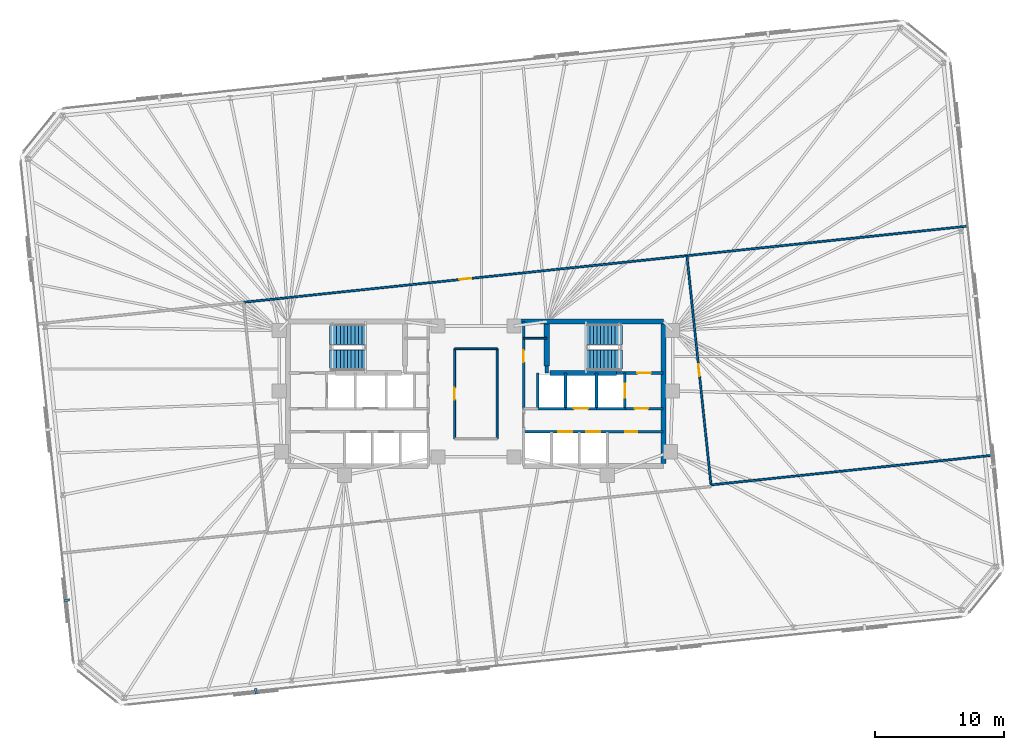
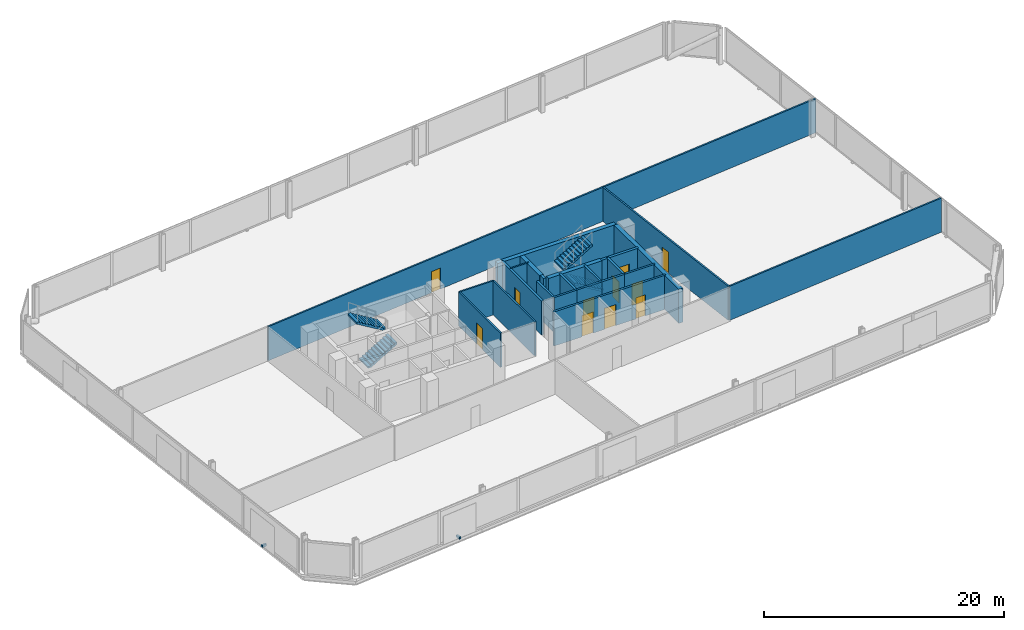
# One storey, part 15 of 17: 24 walls, 11 doors, 4 stair flights, 2 discrete accessories, 11 openings, 2 elements without a shape of their own.
"""IFC4 building model written with IfcOpenShell, lengths in metres."""

from ifc_helpers import new_model, si_unit, direction, frame, frame_2d, origin, origin_2d, place, context, subcontext, project, spatial, polyline, rectangle, outline, extrude, material, layer, layer_set, type_object, element, fill, aggregate, save


model = new_model("IFC4")

# Units and contexts
model_context = context("Model", 3, precision=1e-05, world=origin(), true_north=direction((0.0, 1.0)))
body_context = subcontext(model_context, "Body", "Model", "MODEL_VIEW")
ifc_project = project(units=[si_unit("LENGTHUNIT", "METRE"), si_unit("AREAUNIT", "SQUARE_METRE"), si_unit("VOLUMEUNIT", "CUBIC_METRE"), si_unit("PLANEANGLEUNIT", "RADIAN"), si_unit("MASSUNIT", "GRAM", prefix="KILO")], contexts=[model_context])

# Site, building, storey
site_placement = place(None, origin())
site = spatial("IfcSite", under=ifc_project, at=site_placement, CompositionType="ELEMENT")
building_placement = place(site_placement, origin())
building = spatial("IfcBuilding", under=site, at=building_placement, Name="Menara Jurai Vektor", CompositionType="ELEMENT")
storey_placement = place(building_placement, frame((0.0, 0.0, 109.60009765625)))
storey = spatial("IfcBuildingStorey", under=building, at=storey_placement, Name="L27", CompositionType="ELEMENT", Elevation=109.60009765625)

# Wall, opening, door
ifc_material_1 = material(Name="Concrete C40/50", Category="concrete")
ifc_layer_1 = layer(ifc_material_1, 0.25)
ifc_layer_set_1 = layer_set([ifc_layer_1], Name="Concrete C40/50")
wall_type_1 = type_object("IfcWallType", Name="INT-WALL-CORE-250", PredefinedType="STANDARD", material=ifc_layer_set_1)
wall_1_placement = place(storey_placement, frame((10.89990234375, 1.60009765625, 0.0), z_axis=(0.0, 0.0, 1.0), x_axis=(1.0, 0.0, 0.0)))
wall_1 = element("IfcWall", 1, at=wall_1_placement, inside=storey, type_object=wall_type_1, Name="Interior Wall IW-250 L27", PredefinedType="STANDARD", context=body_context, shape_type="SweptSolid", body=[
    extrude(rectangle(XDim=3.60009765625, YDim=0.25, at=frame_2d((1.800048828125, 0.0))), origin(), (0.0, 0.0, 1.0), 3.474853515625),
])
opening_1_placement = place(wall_1_placement, frame((1.6201171875, 0.0, 0.0)))
opening_1 = element("IfcOpeningElement", 2, at=opening_1_placement, cuts=wall_1, Name="Opening D-L27-ST2", PredefinedType="OPENING", context=body_context, shape_type="SweptSolid", body=[
    extrude(rectangle(XDim=1.050048828125, YDim=2.14990234375, at=frame_2d((0.52490234375, 1.074951171875))), frame((0.0, 0.135009765625, 0.0), z_axis=(0.0, -1.0, 0.0), x_axis=(1.0, 0.0, 0.0)), (0.0, 0.0, 1.0), 0.27001953125),
])
ifc_material_2 = material(Name="Fire-Rated Steel Door", Category="steel")
door_type_1 = type_object("IfcDoorType", Name="DR-STAIR-1050", OperationType="NOTDEFINED", PredefinedType="DOOR", material=ifc_material_2)
door_1_placement = place(opening_1_placement, origin())
door_1 = element("IfcDoor", 3, at=door_1_placement, inside=storey, type_object=door_type_1, Name="Exit Stair ST2 Door L27", OperationType="SINGLE_SWING_LEFT", OverallHeight=2.14990234375, OverallWidth=1.050048828125, PredefinedType="DOOR", context=body_context, shape_type="SweptSolid", body=[
    extrude(rectangle(XDim=1.050048828125, YDim=2.14990234375, at=frame_2d((0.52490234375, 1.074951171875))), frame((0.0, 0.02490234375, 0.0), z_axis=(0.0, -1.0, 0.0), x_axis=(1.0, 0.0, 0.0)), (0.0, 0.0, 1.0), 0.050048828125),
])
fill(opening_1, door_1)

# Wall
wall_2_placement = place(storey_placement, frame((5.5, 1.60009765625, 0.0), z_axis=(0.0, 0.0, 1.0), x_axis=(0.0, 1.0, 0.0)))
element("IfcWall", 4, at=wall_2_placement, inside=storey, type_object=wall_type_1, Name="Interior Wall IW-250 L27", PredefinedType="STANDARD", context=body_context, shape_type="SweptSolid", body=[
    extrude(rectangle(XDim=0.5498046875, YDim=0.25, at=frame_2d((0.27490234375, 0.0))), origin(), (0.0, 0.0, 1.0), 3.474853515625),
])

# Wall, opening, door
wall_3_placement = place(storey_placement, frame((11.550048828125, -1.14990234375, 0.0), z_axis=(0.0, 0.0, 1.0), x_axis=(0.0, 1.0, 0.0)))
wall_3 = element("IfcWall", 5, at=wall_3_placement, inside=storey, type_object=wall_type_1, Name="Interior Wall IW-250 L27", PredefinedType="STANDARD", context=body_context, shape_type="SweptSolid", body=[
    extrude(rectangle(XDim=2.75, YDim=0.199951171875, at=frame_2d((1.375, 0.0))), origin(), (0.0, 0.0, 1.0), 3.474853515625),
])
opening_2_placement = place(wall_3_placement, frame((0.824951171875, 0.0, 0.0)))
opening_2 = element("IfcOpeningElement", 6, at=opening_2_placement, cuts=wall_3, Name="Opening LD-L27-FL2", PredefinedType="OPENING", context=body_context, shape_type="SweptSolid", body=[
    extrude(rectangle(XDim=1.10009765625, YDim=2.14990234375, at=frame_2d((0.550048828125, 1.074951171875))), frame((0.0, 0.10986328125, 0.0), z_axis=(0.0, -1.0, 0.0), x_axis=(1.0, 0.0, 0.0)), (0.0, 0.0, 1.0), 0.219970703125),
])
ifc_material_3 = material(Name="Stainless Steel Sliding Lift Landing Door", Category="steel")
door_type_2 = type_object("IfcDoorType", Name="DR-LIFT-FIRE-1100", OperationType="NOTDEFINED", PredefinedType="DOOR", material=ifc_material_3)
door_2_placement = place(opening_2_placement, origin())
door_2 = element("IfcDoor", 7, at=door_2_placement, inside=storey, type_object=door_type_2, Name="Lift Landing Door FL2 L27", OperationType="SLIDING_TO_RIGHT", OverallHeight=2.14990234375, OverallWidth=1.10009765625, PredefinedType="DOOR", context=body_context, shape_type="SweptSolid", body=[
    extrude(rectangle(XDim=1.10009765625, YDim=2.14990234375, at=frame_2d((0.550048828125, 1.074951171875))), frame((0.0, 0.02490234375, 0.0), z_axis=(0.0, -1.0, 0.0), x_axis=(1.0, 0.0, 0.0)), (0.0, 0.0, 1.0), 0.050048828125),
])
fill(opening_2, door_2)

# Wall
wall_4_placement = place(storey_placement, frame((9.35009765625, -1.14990234375, 0.0), z_axis=(0.0, 0.0, 1.0), x_axis=(0.0, 1.0, 0.0)))
element("IfcWall", 8, at=wall_4_placement, inside=storey, type_object=wall_type_1, Name="Interior Wall IW-250 L27", PredefinedType="STANDARD", context=body_context, shape_type="SweptSolid", body=[
    extrude(rectangle(XDim=2.75, YDim=0.199951171875, at=frame_2d((1.375, 0.0))), origin(), (0.0, 0.0, 1.0), 3.474853515625),
])

# Wall, opening, door
wall_5_placement = place(storey_placement, frame((11.550048828125, -1.14990234375, 0.0), z_axis=(0.0, 0.0, 1.0), x_axis=(1.0, 0.0, 0.0)))
wall_5 = element("IfcWall", 9, at=wall_5_placement, inside=storey, type_object=wall_type_1, Name="Interior Wall IW-250 L27", PredefinedType="STANDARD", context=body_context, shape_type="SweptSolid", body=[
    extrude(rectangle(XDim=2.949951171875, YDim=0.199951171875, at=frame_2d((1.47509765625, 0.0))), origin(), (0.0, 0.0, 1.0), 3.474853515625),
])
opening_3_placement = place(wall_5_placement, frame((0.75, 0.0, 0.0)))
opening_3 = element("IfcOpeningElement", 10, at=opening_3_placement, cuts=wall_5, Name="Opening D-L27-FFE", PredefinedType="OPENING", context=body_context, shape_type="SweptSolid", body=[
    extrude(rectangle(XDim=1.050048828125, YDim=2.179931640625, at=frame_2d((0.52490234375, 1.08984375))), frame((0.0, 0.10986328125, 0.0), z_axis=(0.0, -1.0, 0.0), x_axis=(1.0, 0.0, 0.0)), (0.0, 0.0, 1.0), 0.219970703125),
])
ifc_material_4 = material(Name="Fire-Rated Timber Door", Category="wood")
door_type_3 = type_object("IfcDoorType", Name="DR-LOBBY-1050", OperationType="NOTDEFINED", PredefinedType="DOOR", material=ifc_material_4)
door_3_placement = place(opening_3_placement, origin())
door_3 = element("IfcDoor", 11, at=door_3_placement, inside=storey, type_object=door_type_3, Name="Fire Lift Lobby Door E L27", OperationType="SINGLE_SWING_LEFT", OverallHeight=2.179931640625, OverallWidth=1.050048828125, PredefinedType="DOOR", context=body_context, shape_type="SweptSolid", body=[
    extrude(rectangle(XDim=1.050048828125, YDim=2.179931640625, at=frame_2d((0.52490234375, 1.08984375))), frame((0.0, 0.02490234375, 0.0), z_axis=(0.0, -1.0, 0.0), x_axis=(1.0, 0.0, 0.0)), (0.0, 0.0, 1.0), 0.050048828125),
])
fill(opening_3, door_3)

# Walls
wall_6_placement = place(storey_placement, frame((9.35009765625, -1.14990234375, 0.0), z_axis=(0.0, 0.0, 1.0), x_axis=(1.0, 0.0, 0.0)))
element("IfcWall", 12, at=wall_6_placement, inside=storey, type_object=wall_type_1, Name="Interior Wall IW-250 L27", PredefinedType="STANDARD", context=body_context, shape_type="SweptSolid", body=[
    extrude(rectangle(XDim=2.199951171875, YDim=0.199951171875, at=frame_2d((1.10009765625, 0.0))), origin(), (0.0, 0.0, 1.0), 3.474853515625),
])
ifc_material_5 = material(Name="Gypsum Fireboard Partition", Category="gypsum")
ifc_layer_2 = layer(ifc_material_5, 0.14990234375)
ifc_layer_set_2 = layer_set([ifc_layer_2], Name="Gypsum Fireboard Partition")
wall_type_2 = type_object("IfcWallType", Name="INT-WALL-CORR-150", PredefinedType="PARTITIONING", material=ifc_layer_set_2)
wall_7_placement = place(storey_placement, frame((3.699951171875, 4.300048828125, 0.0), z_axis=(0.0, 0.0, 1.0), x_axis=(1.0, 0.0, 0.0)))
element("IfcWall", 13, at=wall_7_placement, inside=storey, type_object=wall_type_2, Name="Interior Wall IW-150 L27", PredefinedType="PARTITIONING", context=body_context, shape_type="SweptSolid", body=[
    extrude(rectangle(XDim=1.800048828125, YDim=0.14990234375, at=frame_2d((0.89990234375, 0.0))), origin(), (0.0, 0.0, 1.0), 3.474853515625),
])

# Wall, opening, door
wall_8_placement = place(storey_placement, frame((-1.649658203125, -3.490478515625, 0.0), z_axis=(0.0, 0.0, 1.0), x_axis=(-0.000104928124, 0.999999994495, 0.0)))
wall_8 = element("IfcWall", 14, at=wall_8_placement, inside=storey, type_object=wall_type_2, Name="Interior Wall IW-150 L27", PredefinedType="PARTITIONING", context=body_context, shape_type="SweptSolid", body=[
    extrude(rectangle(XDim=6.980224609375, YDim=0.14990234375, at=frame_2d((3.490234375, 0.0))), origin(), (0.0, 0.0, 1.0), 3.474853515625),
])
opening_4_placement = place(wall_8_placement, frame((3.01513671875, 0.0, 0.0)))
opening_4 = element("IfcOpeningElement", 15, at=opening_4_placement, cuts=wall_8, Name="Opening D27-06", PredefinedType="OPENING", context=body_context, shape_type="SweptSolid", body=[
    extrude(rectangle(XDim=0.949951171875, YDim=2.14990234375, at=frame_2d((0.47509765625, 1.074951171875))), frame((0.0, 0.0849609375, 0.0), z_axis=(0.0, -1.0, 0.0), x_axis=(1.0, 0.0, 0.0)), (0.0, 0.0, 1.0), 0.169921875),
])
ifc_material_6 = material(Name="Solid Core Timber Fire Door", Category="wood")
door_type_4 = type_object("IfcDoorType", Name="DR-ENTRY-950", OperationType="NOTDEFINED", PredefinedType="DOOR", material=ifc_material_6)
door_4_placement = place(opening_4_placement, origin())
door_4 = element("IfcDoor", 16, at=door_4_placement, inside=storey, type_object=door_type_4, Name="Interior Door D27-06", OperationType="SINGLE_SWING_LEFT", OverallHeight=2.14990234375, OverallWidth=0.949951171875, PredefinedType="DOOR", context=body_context, shape_type="SweptSolid", body=[
    extrude(rectangle(XDim=0.949951171875, YDim=2.14990234375, at=frame_2d((0.47509765625, 1.074951171875))), frame((0.0, 0.02490234375, 0.0), z_axis=(0.0, -1.0, 0.0), x_axis=(1.0, 0.0, 0.0)), (0.0, 0.0, 1.0), 0.050048828125),
])
fill(opening_4, door_4)

# Walls
wall_9_placement = place(storey_placement, frame((-1.650390625, 3.48974609375, 0.0), z_axis=(0.0, 0.0, 1.0), x_axis=(1.0, 0.0, 0.0)))
element("IfcWall", 17, at=wall_9_placement, inside=storey, type_object=wall_type_2, Name="Interior Wall IW-150 L27", PredefinedType="PARTITIONING", context=body_context, shape_type="SweptSolid", body=[
    extrude(rectangle(XDim=3.30029296875, YDim=0.14990234375, at=frame_2d((1.650146484375, 0.0))), origin(), (0.0, 0.0, 1.0), 3.474853515625),
])
wall_10_placement = place(storey_placement, frame((1.650390625, -3.490478515625, 0.0), z_axis=(0.0, 0.0, 1.0), x_axis=(-6.9952083e-05, 0.999999997553, 0.0)))
element("IfcWall", 18, at=wall_10_placement, inside=storey, type_object=wall_type_2, Name="Interior Wall IW-150 L27", PredefinedType="PARTITIONING", context=body_context, shape_type="SweptSolid", body=[
    extrude(rectangle(XDim=6.980224609375, YDim=0.14990234375, at=frame_2d((3.490234375, 0.0))), origin(), (0.0, 0.0, 1.0), 3.474853515625),
])

# Wall, opening, door
wall_11_placement = place(storey_placement, frame((-18.021240234375, 7.09033203125, 0.0), z_axis=(0.0, 0.0, 1.0), x_axis=(0.994522464549, 0.104523047737, 0.0)))
wall_11 = element("IfcWall", 19, at=wall_11_placement, inside=storey, type_object=wall_type_2, Name="Interior Wall IW-150 L27", PredefinedType="PARTITIONING", context=body_context, shape_type="SweptSolid", body=[
    extrude(rectangle(XDim=34.573974609375, YDim=0.14990234375, at=frame_2d((17.287109375, 0.0))), origin(), (0.0, 0.0, 1.0), 3.474853515625),
])
opening_5_placement = place(wall_11_placement, frame((16.81201171875, 0.0, 0.0)))
opening_5 = element("IfcOpeningElement", 20, at=opening_5_placement, cuts=wall_11, Name="Opening D27-07", PredefinedType="OPENING", context=body_context, shape_type="SweptSolid", body=[
    extrude(rectangle(XDim=0.949951171875, YDim=2.14990234375, at=frame_2d((0.47509765625, 1.074951171875))), frame((0.0, 0.0849609375, 0.0), z_axis=(0.0, -1.0, 0.0), x_axis=(1.0, 0.0, 0.0)), (0.0, 0.0, 1.0), 0.169921875),
])
door_5_placement = place(opening_5_placement, origin())
door_5 = element("IfcDoor", 21, at=door_5_placement, inside=storey, type_object=door_type_4, Name="Interior Door D27-07", OperationType="SINGLE_SWING_RIGHT", OverallHeight=2.14990234375, OverallWidth=0.949951171875, PredefinedType="DOOR", context=body_context, shape_type="SweptSolid", body=[
    extrude(rectangle(XDim=0.949951171875, YDim=2.14990234375, at=frame_2d((0.47509765625, 1.074951171875))), frame((0.0, 0.02490234375, 0.0), z_axis=(0.0, -1.0, 0.0), x_axis=(1.0, 0.0, 0.0)), (0.0, 0.0, 1.0), 0.050048828125),
])
fill(opening_5, door_5)

wall_12_placement = place(storey_placement, frame((18.231201171875, -7.06787109375, 0.0), z_axis=(0.0, 0.0, 1.0), x_axis=(-0.104529034836, 0.994521835294, 0.0)))
wall_12 = element("IfcWall", 22, at=wall_12_placement, inside=storey, type_object=wall_type_2, Name="Interior Wall IW-150 L27", PredefinedType="PARTITIONING", context=body_context, shape_type="SweptSolid", body=[
    extrude(rectangle(XDim=17.869873046875, YDim=0.14990234375, at=frame_2d((8.93505859375, 0.0))), origin(), (0.0, 0.0, 1.0), 3.474853515625),
])
opening_6_placement = place(wall_12_placement, frame((8.4599609375, 0.0, 0.0)))
opening_6 = element("IfcOpeningElement", 23, at=opening_6_placement, cuts=wall_12, Name="Opening D27-11", PredefinedType="OPENING", context=body_context, shape_type="SweptSolid", body=[
    extrude(rectangle(XDim=0.949951171875, YDim=2.14990234375, at=frame_2d((0.47509765625, 1.074951171875))), frame((0.0, 0.0849609375, 0.0), z_axis=(0.0, -1.0, 0.0), x_axis=(1.0, 0.0, 0.0)), (0.0, 0.0, 1.0), 0.169921875),
])
door_6_placement = place(opening_6_placement, origin())
door_6 = element("IfcDoor", 24, at=door_6_placement, inside=storey, type_object=door_type_4, Name="Interior Door D27-11", OperationType="SINGLE_SWING_RIGHT", OverallHeight=2.14990234375, OverallWidth=0.949951171875, PredefinedType="DOOR", context=body_context, shape_type="SweptSolid", body=[
    extrude(rectangle(XDim=0.949951171875, YDim=2.14990234375, at=frame_2d((0.47509765625, 1.074951171875))), frame((0.0, 0.02490234375, 0.0), z_axis=(0.0, -1.0, 0.0), x_axis=(1.0, 0.0, 0.0)), (0.0, 0.0, 1.0), 0.050048828125),
])
fill(opening_6, door_6)

# Walls
wall_13_placement = place(storey_placement, frame((16.36328125, 10.7041015625, 0.0), z_axis=(0.0, 0.0, 1.0), x_axis=(0.994521206634, 0.104535015934, 0.0)))
element("IfcWall", 25, at=wall_13_placement, inside=storey, type_object=wall_type_2, Name="Interior Wall IW-150 L27", PredefinedType="PARTITIONING", context=body_context, shape_type="SweptSolid", body=[
    extrude(rectangle(XDim=21.892822265625, YDim=0.14990234375, at=frame_2d((10.9462890625, 0.0))), origin(), (0.0, 0.0, 1.0), 3.474853515625),
])
wall_14_placement = place(storey_placement, frame((18.231201171875, -7.06787109375, 0.0), z_axis=(0.0, 0.0, 1.0), x_axis=(0.994521328491, 0.104533856601, 0.0)))
element("IfcWall", 26, at=wall_14_placement, inside=storey, type_object=wall_type_2, Name="Interior Wall IW-150 L27", PredefinedType="PARTITIONING", context=body_context, shape_type="SweptSolid", body=[
    extrude(rectangle(XDim=21.89306640625, YDim=0.14990234375, at=frame_2d((10.946533203125, 0.0))), origin(), (0.0, 0.0, 1.0), 3.474853515625),
])

# Wall, opening, door
ifc_layer_3 = layer(ifc_material_1, 0.199951171875)
ifc_layer_set_3 = layer_set([ifc_layer_3], Name="Concrete C40/50")
wall_type_3 = type_object("IfcWallType", Name="INT-WALL-SHAFT-200", PredefinedType="STANDARD", material=ifc_layer_set_3)
wall_15_placement = place(storey_placement, frame((3.699951171875, -1.14990234375, 0.0), z_axis=(0.0, 0.0, 1.0), x_axis=(0.0, 1.0, 0.0)))
wall_15 = element("IfcWall", 27, at=wall_15_placement, inside=storey, type_object=wall_type_3, Name="Interior Wall IW-200 L27", PredefinedType="STANDARD", context=body_context, shape_type="SweptSolid", body=[
    extrude(rectangle(XDim=6.75, YDim=0.199951171875, at=frame_2d((3.375, 0.0))), origin(), (0.0, 0.0, 1.0), 3.474853515625),
])
opening_7_placement = place(wall_15_placement, frame((3.60009765625, 0.0, 0.0)))
opening_7 = element("IfcOpeningElement", 28, at=opening_7_placement, cuts=wall_15, Name="Opening D27-05", PredefinedType="OPENING", context=body_context, shape_type="SweptSolid", body=[
    extrude(rectangle(XDim=0.919921875, YDim=2.14990234375, at=frame_2d((0.4599609375, 1.074951171875))), frame((0.0, 0.10986328125, 0.0), z_axis=(0.0, -1.0, 0.0), x_axis=(1.0, 0.0, 0.0)), (0.0, 0.0, 1.0), 0.219970703125),
])
door_7_placement = place(opening_7_placement, origin())
door_7 = element("IfcDoor", 29, at=door_7_placement, inside=storey, type_object=door_type_4, Name="Interior Door D27-05", OperationType="SINGLE_SWING_RIGHT", OverallHeight=2.14990234375, OverallWidth=0.919921875, PredefinedType="DOOR", context=body_context, shape_type="SweptSolid", body=[
    extrude(rectangle(XDim=0.919921875, YDim=2.14990234375, at=frame_2d((0.4599609375, 1.074951171875))), frame((0.0, 0.02490234375, 0.0), z_axis=(0.0, -1.0, 0.0), x_axis=(1.0, 0.0, 0.0)), (0.0, 0.0, 1.0), 0.050048828125),
])
fill(opening_7, door_7)

# Wall
wall_16_placement = place(storey_placement, frame((6.949951171875, -1.14990234375, 0.0), z_axis=(0.0, 0.0, 1.0), x_axis=(0.0, 1.0, 0.0)))
element("IfcWall", 30, at=wall_16_placement, inside=storey, type_object=wall_type_3, Name="Interior Wall IW-200 L27", PredefinedType="STANDARD", context=body_context, shape_type="SweptSolid", body=[
    extrude(rectangle(XDim=2.75, YDim=0.199951171875, at=frame_2d((1.375, 0.0))), origin(), (0.0, 0.0, 1.0), 3.474853515625),
])

# Wall, opening, door
wall_17_placement = place(storey_placement, frame((6.949951171875, -1.14990234375, 0.0), z_axis=(0.0, 0.0, 1.0), x_axis=(1.0, 0.0, 0.0)))
wall_17 = element("IfcWall", 31, at=wall_17_placement, inside=storey, type_object=wall_type_3, Name="Interior Wall IW-200 L27", PredefinedType="STANDARD", context=body_context, shape_type="SweptSolid", body=[
    extrude(rectangle(XDim=2.400146484375, YDim=0.199951171875, at=frame_2d((1.2001953125, 0.0))), origin(), (0.0, 0.0, 1.0), 3.474853515625),
])
opening_8_placement = place(wall_17_placement, frame((0.64990234375, 0.0, 0.0)))
opening_8 = element("IfcOpeningElement", 32, at=opening_8_placement, cuts=wall_17, Name="Opening LD-L27-SVL2", PredefinedType="OPENING", context=body_context, shape_type="SweptSolid", body=[
    extrude(rectangle(XDim=1.10009765625, YDim=2.14990234375, at=frame_2d((0.550048828125, 1.074951171875))), frame((0.0, 0.10986328125, 0.0), z_axis=(0.0, -1.0, 0.0), x_axis=(1.0, 0.0, 0.0)), (0.0, 0.0, 1.0), 0.219970703125),
])
ifc_material_7 = material(Name="Anodised Stainless Sliding Lift Landing Door", Category="steel")
door_type_5 = type_object("IfcDoorType", Name="DR-LIFT-PASS-1100", OperationType="NOTDEFINED", PredefinedType="DOOR", material=ifc_material_7)
door_8_placement = place(opening_8_placement, origin())
door_8 = element("IfcDoor", 33, at=door_8_placement, inside=storey, type_object=door_type_5, Name="Lift Landing Door SVL2 L27", OperationType="SLIDING_TO_RIGHT", OverallHeight=2.14990234375, OverallWidth=1.10009765625, PredefinedType="DOOR", context=body_context, shape_type="SweptSolid", body=[
    extrude(rectangle(XDim=1.10009765625, YDim=2.14990234375, at=frame_2d((0.550048828125, 1.074951171875))), frame((0.0, 0.02490234375, 0.0), z_axis=(0.0, -1.0, 0.0), x_axis=(1.0, 0.0, 0.0)), (0.0, 0.0, 1.0), 0.050048828125),
])
fill(opening_8, door_8)

# Walls
wall_18_placement = place(storey_placement, frame((4.7900390625, -1.14990234375, 0.0), z_axis=(0.0, 0.0, 1.0), x_axis=(0.0, 1.0, 0.0)))
element("IfcWall", 34, at=wall_18_placement, inside=storey, type_object=wall_type_3, Name="Interior Wall IW-200 L27", PredefinedType="STANDARD", context=body_context, shape_type="SweptSolid", body=[
    extrude(rectangle(XDim=2.75, YDim=0.199951171875, at=frame_2d((1.375, 0.0))), origin(), (0.0, 0.0, 1.0), 3.474853515625),
])
wall_19_placement = place(storey_placement, frame((4.7900390625, -1.14990234375, 0.0), z_axis=(0.0, 0.0, 1.0), x_axis=(1.0, 0.0, 0.0)))
element("IfcWall", 35, at=wall_19_placement, inside=storey, type_object=wall_type_3, Name="Interior Wall IW-200 L27", PredefinedType="STANDARD", context=body_context, shape_type="SweptSolid", body=[
    extrude(rectangle(XDim=2.159912109375, YDim=0.199951171875, at=frame_2d((1.080078125, 0.0))), origin(), (0.0, 0.0, 1.0), 3.474853515625),
])

# Wall, openings, doors
wall_20_placement = place(storey_placement, frame((3.699951171875, -2.949951171875, 0.0), z_axis=(0.0, 0.0, 1.0), x_axis=(1.0, 0.0, 0.0)))
wall_20 = element("IfcWall", 36, at=wall_20_placement, inside=storey, type_object=wall_type_3, Name="Interior Wall IW-200 L27", PredefinedType="STANDARD", context=body_context, shape_type="SweptSolid", body=[
    extrude(rectangle(XDim=10.800048828125, YDim=0.199951171875, at=frame_2d((5.39990234375, 0.0))), origin(), (0.0, 0.0, 1.0), 3.474853515625),
])
opening_9_placement = place(wall_20_placement, frame((2.68994140625, 0.0, 0.0)))
opening_9 = element("IfcOpeningElement", 37, at=opening_9_placement, cuts=wall_20, Name="Opening LD-L27-PM3", PredefinedType="OPENING", context=body_context, shape_type="SweptSolid", body=[
    extrude(rectangle(XDim=1.10009765625, YDim=2.14990234375, at=frame_2d((0.550048828125, 1.074951171875))), frame((0.0, 0.10986328125, 0.0), z_axis=(0.0, -1.0, 0.0), x_axis=(1.0, 0.0, 0.0)), (0.0, 0.0, 1.0), 0.219970703125),
])
opening_10_placement = place(wall_20_placement, frame((4.85009765625, 0.0, 0.0)))
opening_10 = element("IfcOpeningElement", 38, at=opening_10_placement, cuts=wall_20, Name="Opening LD-L27-PM4", PredefinedType="OPENING", context=body_context, shape_type="SweptSolid", body=[
    extrude(rectangle(XDim=1.10009765625, YDim=2.14990234375, at=frame_2d((0.550048828125, 1.074951171875))), frame((0.0, 0.10986328125, 0.0), z_axis=(0.0, -1.0, 0.0), x_axis=(1.0, 0.0, 0.0)), (0.0, 0.0, 1.0), 0.219970703125),
])
opening_11_placement = place(wall_20_placement, frame((7.8798828125, 0.0, 0.0)))
opening_11 = element("IfcOpeningElement", 39, at=opening_11_placement, cuts=wall_20, Name="Opening D27-04", PredefinedType="OPENING", context=body_context, shape_type="SweptSolid", body=[
    extrude(rectangle(XDim=0.949951171875, YDim=2.14990234375, at=frame_2d((0.47509765625, 1.074951171875))), frame((0.0, 0.10986328125, 0.0), z_axis=(0.0, -1.0, 0.0), x_axis=(1.0, 0.0, 0.0)), (0.0, 0.0, 1.0), 0.219970703125),
])
door_9_placement = place(opening_11_placement, origin())
door_9 = element("IfcDoor", 40, at=door_9_placement, inside=storey, type_object=door_type_4, Name="Interior Door D27-04", OperationType="SINGLE_SWING_LEFT", OverallHeight=2.14990234375, OverallWidth=0.949951171875, PredefinedType="DOOR", context=body_context, shape_type="SweptSolid", body=[
    extrude(rectangle(XDim=0.949951171875, YDim=2.14990234375, at=frame_2d((0.47509765625, 1.074951171875))), frame((0.0, 0.02490234375, 0.0), z_axis=(0.0, -1.0, 0.0), x_axis=(1.0, 0.0, 0.0)), (0.0, 0.0, 1.0), 0.050048828125),
])
fill(opening_11, door_9)
door_10_placement = place(opening_9_placement, origin())
door_10 = element("IfcDoor", 41, at=door_10_placement, inside=storey, type_object=door_type_5, Name="Lift Landing Door PM3 L27", OperationType="SLIDING_TO_LEFT", OverallHeight=2.14990234375, OverallWidth=1.10009765625, PredefinedType="DOOR", context=body_context, shape_type="SweptSolid", body=[
    extrude(rectangle(XDim=1.10009765625, YDim=2.14990234375, at=frame_2d((0.550048828125, 1.074951171875))), frame((0.0, 0.02490234375, 0.0), z_axis=(0.0, -1.0, 0.0), x_axis=(1.0, 0.0, 0.0)), (0.0, 0.0, 1.0), 0.050048828125),
])
fill(opening_9, door_10)
door_11_placement = place(opening_10_placement, origin())
door_11 = element("IfcDoor", 42, at=door_11_placement, inside=storey, type_object=door_type_5, Name="Lift Landing Door PM4 L27", OperationType="SLIDING_TO_RIGHT", OverallHeight=2.14990234375, OverallWidth=1.10009765625, PredefinedType="DOOR", context=body_context, shape_type="SweptSolid", body=[
    extrude(rectangle(XDim=1.10009765625, YDim=2.14990234375, at=frame_2d((0.550048828125, 1.074951171875))), frame((0.0, 0.02490234375, 0.0), z_axis=(0.0, -1.0, 0.0), x_axis=(1.0, 0.0, 0.0)), (0.0, 0.0, 1.0), 0.050048828125),
])
fill(opening_10, door_11)

# Walls
ifc_material_8 = material(Name="Concrete C50/60", Category="concrete")
ifc_layer_4 = layer(ifc_material_8, 0.39990234375)
ifc_layer_set_4 = layer_set([ifc_layer_4], Name="Concrete C50/60")
wall_type_4 = type_object("IfcWallType", Name="STR-WALL-CORE400", PredefinedType="SHEAR", material=ifc_layer_set_4)
wall_21_placement = place(storey_placement, frame((3.14990234375, 5.60009765625, 0.0), z_axis=(0.0, 0.0, 1.0), x_axis=(1.0, 0.0, 0.0)))
element("IfcWall", 43, at=wall_21_placement, inside=storey, type_object=wall_type_4, Name="Core Shear Wall CW-E-N L27", PredefinedType="SHEAR", context=body_context, shape_type="SweptSolid", body=[
    extrude(rectangle(XDim=11.41015625, YDim=0.39990234375, at=frame_2d((5.705078125, 0.0))), origin(), (0.0, 0.0, 1.0), 3.474853515625),
])
wall_22_placement = place(storey_placement, frame((14.56005859375, -5.39990234375, 0.0), z_axis=(0.0, 0.0, 1.0), x_axis=(0.0, 1.0, 0.0)))
element("IfcWall", 44, at=wall_22_placement, inside=storey, type_object=wall_type_4, Name="Core Shear Wall CW-E-E L27", PredefinedType="SHEAR", context=body_context, shape_type="SweptSolid", body=[
    extrude(rectangle(XDim=10.7998046875, YDim=0.39990234375, at=frame_2d((5.39990234375, 0.0))), origin(), (0.0, 0.0, 1.0), 3.474853515625),
])
wall_23_placement = place(storey_placement, frame((5.5, 2.14990234375, 0.0), z_axis=(0.0, 0.0, 1.0), x_axis=(0.0, 1.0, 0.0)))
element("IfcWall", 45, at=wall_23_placement, inside=storey, type_object=wall_type_4, Name="Core Shear Wall CW-E-ST L27", PredefinedType="SHEAR", context=body_context, shape_type="SweptSolid", body=[
    extrude(rectangle(XDim=3.25, YDim=0.39990234375, at=frame_2d((1.625, 0.0))), origin(), (0.0, 0.0, 1.0), 3.474853515625),
])
wall_24_placement = place(storey_placement, frame((5.75, 1.60009765625, 0.0), z_axis=(0.0, 0.0, 1.0), x_axis=(1.0, 0.0, 0.0)))
element("IfcWall", 46, at=wall_24_placement, inside=storey, type_object=wall_type_4, Name="Core Shear Wall CW-E-STS L27", PredefinedType="SHEAR", context=body_context, shape_type="SweptSolid", body=[
    extrude(rectangle(XDim=5.14990234375, YDim=0.39990234375, at=frame_2d((2.574951171875, 0.0))), origin(), (0.0, 0.0, 1.0), 3.474853515625),
])

# Stair, stair flights
stair_type = type_object("IfcStairType", Name="STAIR-DOGLEG-1500", PredefinedType="HALF_TURN_STAIR", material=ifc_material_1)
stair_1_placement = place(storey_placement, origin())
stair_1 = element("IfcStair", 47, at=stair_1_placement, inside=storey, type_object=stair_type, Name="Protected Exit Stair ST1 L27", PredefinedType="HALF_TURN_STAIR")
stair_flight_type = type_object("IfcStairFlightType", Name="STAIR-FLIGHT-1500", PredefinedType="STRAIGHT", material=ifc_material_1)
stair_flight_1_placement = place(storey_placement, frame((-11.35009765625, 2.64990234375, 0.0), z_axis=(0.0, 0.0, 1.0), x_axis=(1.0, 0.0, 0.0)))
stair_flight_1 = element("IfcStairFlight", 48, at=stair_flight_1_placement, type_object=stair_flight_type, Name="ST1 flight 1", NumberOfRisers=11, NumberOfTreads=10, PredefinedType="STRAIGHT", RiserHeight=0.168182, TreadLength=0.28, context=body_context, shape_type="SweptSolid", body=[
    extrude(outline(polyline([(0.0, 0.0), (0.0, 0.168212890625), (0.280029296875, 0.168212890625), (0.280029296875, 0.33642578125), (0.56005859375, 0.33642578125), (0.56005859375, 0.504638671875), (0.840087890625, 0.504638671875), (0.840087890625, 0.672607421875), (1.1201171875, 0.672607421875), (1.1201171875, 0.8408203125), (1.39990234375, 0.8408203125), (1.39990234375, 1.009033203125), (1.679931640625, 1.009033203125), (1.679931640625, 1.17724609375), (1.9599609375, 1.17724609375), (1.9599609375, 1.345458984375), (2.239990234375, 1.345458984375), (2.239990234375, 1.513671875), (2.52001953125, 1.513671875), (2.52001953125, 1.681884765625), (2.800048828125, 1.681884765625), (2.800048828125, 1.85009765625), (2.800048828125, 1.495361328125), (0.310546875, 0.0), (0.0, 0.0)])), frame((0.0, 0.75, 0.0), z_axis=(0.0, -1.0, 0.0), x_axis=(1.0, 0.0, 0.0)), (0.0, 0.0, 1.0), 1.5),
])
stair_flight_2_placement = place(storey_placement, frame((-8.550048828125, 4.550048828125, 1.849853515625), z_axis=(0.0, 0.0, 1.0), x_axis=(-1.0, 0.0, 0.0)))
stair_flight_2 = element("IfcStairFlight", 49, at=stair_flight_2_placement, type_object=stair_flight_type, Name="ST1 flight 2", NumberOfRisers=11, NumberOfTreads=10, PredefinedType="STRAIGHT", RiserHeight=0.168182, TreadLength=0.28, context=body_context, shape_type="SweptSolid", body=[
    extrude(outline(polyline([(0.0, 0.0), (0.0, 0.168212890625), (0.280029296875, 0.168212890625), (0.280029296875, 0.33642578125), (0.56005859375, 0.33642578125), (0.56005859375, 0.504638671875), (0.840087890625, 0.504638671875), (0.840087890625, 0.672607421875), (1.1201171875, 0.672607421875), (1.1201171875, 0.8408203125), (1.39990234375, 0.8408203125), (1.39990234375, 1.009033203125), (1.679931640625, 1.009033203125), (1.679931640625, 1.17724609375), (1.9599609375, 1.17724609375), (1.9599609375, 1.345458984375), (2.239990234375, 1.345458984375), (2.239990234375, 1.513671875), (2.52001953125, 1.513671875), (2.52001953125, 1.681884765625), (2.800048828125, 1.681884765625), (2.800048828125, 1.85009765625), (2.800048828125, 1.495361328125), (0.310546875, 0.0), (0.0, 0.0)])), frame((0.0, 0.75, 0.0), z_axis=(0.0, -1.0, 0.0), x_axis=(1.0, 0.0, 0.0)), (0.0, 0.0, 1.0), 1.5),
])
aggregate(stair_1, [stair_flight_1, stair_flight_2])

stair_2_placement = place(storey_placement, origin())
stair_2 = element("IfcStair", 50, at=stair_2_placement, inside=storey, type_object=stair_type, Name="Protected Exit Stair ST2 L27", PredefinedType="HALF_TURN_STAIR")
stair_flight_3_placement = place(storey_placement, frame((11.35009765625, 2.64990234375, 0.0), z_axis=(0.0, 0.0, 1.0), x_axis=(-1.0, 0.0, 0.0)))
stair_flight_3 = element("IfcStairFlight", 51, at=stair_flight_3_placement, type_object=stair_flight_type, Name="ST2 flight 1", NumberOfRisers=11, NumberOfTreads=10, PredefinedType="STRAIGHT", RiserHeight=0.168182, TreadLength=0.28, context=body_context, shape_type="SweptSolid", body=[
    extrude(outline(polyline([(0.0, 0.0), (0.0, 0.168212890625), (0.280029296875, 0.168212890625), (0.280029296875, 0.33642578125), (0.56005859375, 0.33642578125), (0.56005859375, 0.504638671875), (0.840087890625, 0.504638671875), (0.840087890625, 0.672607421875), (1.1201171875, 0.672607421875), (1.1201171875, 0.8408203125), (1.39990234375, 0.8408203125), (1.39990234375, 1.009033203125), (1.679931640625, 1.009033203125), (1.679931640625, 1.17724609375), (1.9599609375, 1.17724609375), (1.9599609375, 1.345458984375), (2.239990234375, 1.345458984375), (2.239990234375, 1.513671875), (2.52001953125, 1.513671875), (2.52001953125, 1.681884765625), (2.800048828125, 1.681884765625), (2.800048828125, 1.85009765625), (2.800048828125, 1.495361328125), (0.310546875, 0.0), (0.0, 0.0)])), frame((0.0, 0.75, 0.0), z_axis=(0.0, -1.0, 0.0), x_axis=(1.0, 0.0, 0.0)), (0.0, 0.0, 1.0), 1.5),
])
stair_flight_4_placement = place(storey_placement, frame((8.550048828125, 4.550048828125, 1.849853515625), z_axis=(0.0, 0.0, 1.0), x_axis=(1.0, 0.0, 0.0)))
stair_flight_4 = element("IfcStairFlight", 52, at=stair_flight_4_placement, type_object=stair_flight_type, Name="ST2 flight 2", NumberOfRisers=11, NumberOfTreads=10, PredefinedType="STRAIGHT", RiserHeight=0.168182, TreadLength=0.28, context=body_context, shape_type="SweptSolid", body=[
    extrude(outline(polyline([(0.0, 0.0), (0.0, 0.168212890625), (0.280029296875, 0.168212890625), (0.280029296875, 0.33642578125), (0.56005859375, 0.33642578125), (0.56005859375, 0.504638671875), (0.840087890625, 0.504638671875), (0.840087890625, 0.672607421875), (1.1201171875, 0.672607421875), (1.1201171875, 0.8408203125), (1.39990234375, 0.8408203125), (1.39990234375, 1.009033203125), (1.679931640625, 1.009033203125), (1.679931640625, 1.17724609375), (1.9599609375, 1.17724609375), (1.9599609375, 1.345458984375), (2.239990234375, 1.345458984375), (2.239990234375, 1.513671875), (2.52001953125, 1.513671875), (2.52001953125, 1.681884765625), (2.800048828125, 1.681884765625), (2.800048828125, 1.85009765625), (2.800048828125, 1.495361328125), (0.310546875, 0.0), (0.0, 0.0)])), frame((0.0, 0.75, 0.0), z_axis=(0.0, -1.0, 0.0), x_axis=(1.0, 0.0, 0.0)), (0.0, 0.0, 1.0), 1.5),
])
aggregate(stair_2, [stair_flight_3, stair_flight_4])

# Discrete accessories
ifc_material_9 = material(Name="Steel S355", Category="steel")
discrete_accessory_type = type_object("IfcDiscreteAccessoryType", Name="ENV-ACC-BRACKET", PredefinedType="BRACKET", material=ifc_material_9)
for number, where, z_axis, x_axis, name in (
    (53, (-17.052001953125, -23.07470703125, -0.1298828125), (0.0, 0.0, 1.0), (0.994521895368, 0.104528463268, 0.0), "Solar Screen Stand-Off Bracket L27-S01"),
    (54, (-31.72509765625, -16.006103515625, -0.1298828125), (0.0, 0.0, 1.0), (0.104528463268, -0.994521895368, 0.0), "Solar Screen Stand-Off Bracket L27-S14"),
):
    element("IfcDiscreteAccessory", number, at=place(storey_placement, frame(where, z_axis=z_axis, x_axis=x_axis)), inside=storey, type_object=discrete_accessory_type, Name=name, PredefinedType="BRACKET", context=body_context, shape_type="SweptSolid", body=[
        extrude(rectangle(XDim=0.179931640625, YDim=0.43994140625, at=origin_2d()), origin(), (0.0, 0.0, 1.0), 0.219970703125),
    ])

save(model, "model.ifc")
